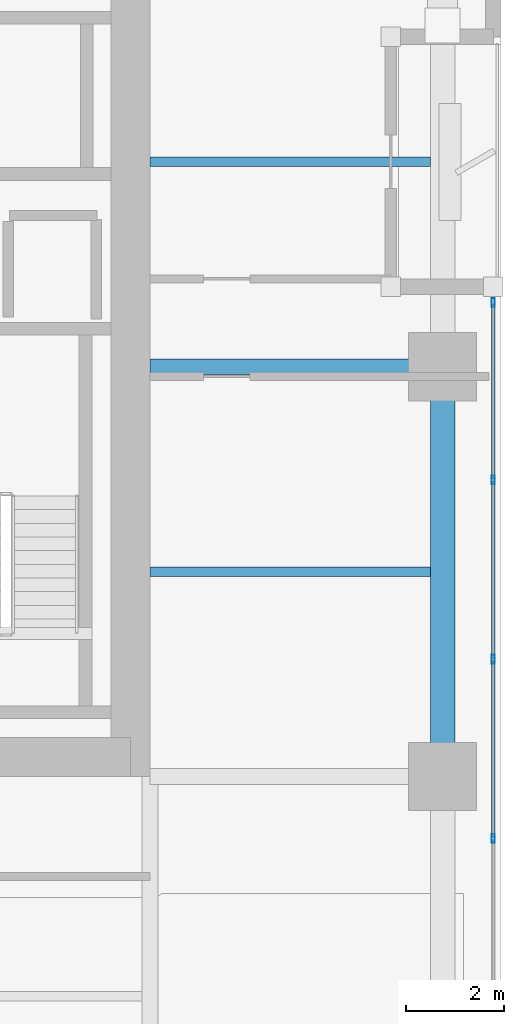
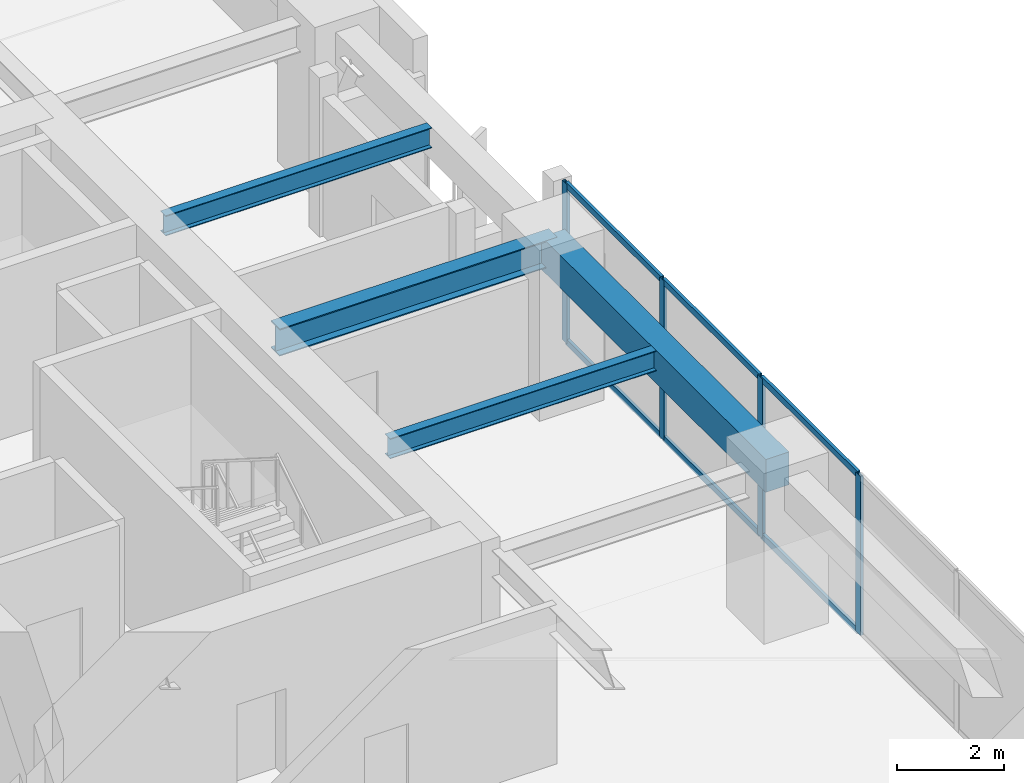
# One storey, part 6 of 24: 10 members, 4 beams, 1 element without a shape of its own.
"""IFC4 building model written with IfcOpenShell, lengths in metres."""

from ifc_helpers import new_model, si_unit, direction, frame, origin, origin_2d, place, context, subcontext, project, spatial, rectangle, hollow_rectangle, i_section, extrude, material, layer, layer_set, material_profile, profile_set, type_object, element, aggregate, save


model = new_model("IFC4")

# Units and contexts
model_context = context("Model", 3, precision=1e-05, world=origin(), true_north=direction((0.0, 1.0)))
body_context = subcontext(model_context, "Body", "Model", "MODEL_VIEW")
ifc_project = project(units=[si_unit("LENGTHUNIT", "METRE"), si_unit("AREAUNIT", "SQUARE_METRE"), si_unit("VOLUMEUNIT", "CUBIC_METRE"), si_unit("PLANEANGLEUNIT", "RADIAN"), si_unit("MASSUNIT", "GRAM", prefix="KILO")], contexts=[model_context])

# Site, building, storey
site_placement = place(None, origin())
site = spatial("IfcSite", under=ifc_project, at=site_placement, CompositionType="ELEMENT")
building_placement = place(site_placement, origin())
building = spatial("IfcBuilding", under=site, at=building_placement, Name="Kiyonajd Concourse Tower", CompositionType="ELEMENT")
storey_placement = place(building_placement, frame((0.0, 0.0, 133.800048828125)))
storey = spatial("IfcBuildingStorey", under=building, at=storey_placement, Name="L34", CompositionType="ELEMENT", Elevation=133.800048828125)

# Beams
ifc_material_1 = material(Name="Steel ASTM A992 Grade 50", Category="steel")
ifc_material_profile_1 = material_profile(ifc_material_1, i_section(OverallWidth=0.19189453125, OverallDepth=0.462890625, WebThickness=0.010498046875, FlangeThickness=0.017578125, at=origin_2d()), Name="W460X89")
ifc_profile_set_1 = profile_set([ifc_material_profile_1], Name="Steel ASTM A992 Grade 50")
beam_type_1 = type_object("IfcBeamType", Name="BM-JST-460B", PredefinedType="JOIST", material=ifc_profile_set_1)
for number, where, z_axis, x_axis, name in (
    (1, (63.60009765625, 31.800048828125, 3.408447265625), (1.0, 0.0, 0.0), (0.0, 1.0, 0.0), "L34 East Secondary Floor Joist"),
    (2, (63.60009765625, 40.199951171875, 3.408447265625), (1.0, 0.0, 0.0), (0.0, 1.0, 0.0), "L34 East Secondary Floor Joist"),
):
    element("IfcBeam", number, at=place(storey_placement, frame(where, z_axis=z_axis, x_axis=x_axis)), inside=storey, type_object=beam_type_1, Name=name, PredefinedType="JOIST", context=body_context, shape_type="SweptSolid", body=[
        extrude(i_section(OverallWidth=0.19189453125, OverallDepth=0.462890625, WebThickness=0.010498046875, FlangeThickness=0.017578125, at=origin_2d()), origin(), (0.0, 0.0, 1.0), 5.75),
    ])
ifc_material_2 = material(Name="Precast concrete C50/60", Category="concrete")
ifc_material_profile_2 = material_profile(ifc_material_2, rectangle(XDim=0.5, YDim=0.75, at=origin_2d()), Name="RCBM-500x750")
ifc_profile_set_2 = profile_set([ifc_material_profile_2], Name="Precast concrete C50/60")
beam_type_2 = type_object("IfcBeamType", Name="BM-SPAN-RC", PredefinedType="SPANDREL", material=ifc_profile_set_2)
beam_1_placement = place(storey_placement, frame((69.60009765625, 27.60009765625, 3.264892578125), z_axis=(0.0, 1.0, 0.0), x_axis=(-1.0, 0.0, 0.0)))
element("IfcBeam", 3, at=beam_1_placement, inside=storey, type_object=beam_type_2, Name="L34 Perimeter Bundled Tube Spandrel", PredefinedType="SPANDREL", context=body_context, shape_type="SweptSolid", body=[
    extrude(rectangle(XDim=0.5, YDim=0.75, at=origin_2d()), origin(), (0.0, 0.0, 1.0), 8.39990234375),
])
ifc_material_profile_3 = material_profile(ifc_material_1, i_section(OverallWidth=0.326904296875, OverallDepth=0.6220703125, WebThickness=0.015380859375, FlangeThickness=0.0244140625, at=origin_2d()), Name="W610X195")
ifc_profile_set_3 = profile_set([ifc_material_profile_3], Name="Steel ASTM A992 Grade 50")
beam_type_3 = type_object("IfcBeamType", Name="BM-TWR-610A", PredefinedType="BEAM", material=ifc_profile_set_3)
beam_2_placement = place(storey_placement, frame((63.60009765625, 36.0, 3.328857421875), z_axis=(1.0, 0.0, 0.0), x_axis=(0.0, 1.0, 0.0)))
element("IfcBeam", 4, at=beam_2_placement, inside=storey, type_object=beam_type_3, Name="L34 East Lease Girder", PredefinedType="BEAM", context=body_context, shape_type="SweptSolid", body=[
    extrude(i_section(OverallWidth=0.326904296875, OverallDepth=0.6220703125, WebThickness=0.015380859375, FlangeThickness=0.0244140625, at=origin_2d()), origin(), (0.0, 0.0, 1.0), 6.0),
])

# Curtain wall, members
ifc_material_3 = material(Name="Thermally Broken Anodised Aluminium", Category="aluminium")
ifc_layer = layer(ifc_material_3, 0.179931640625)
ifc_layer_set = layer_set([ifc_layer], Name="Thermally Broken Anodised Aluminium")
curtain_wall_type = type_object("IfcCurtainWallType", Name="CW-SYS-03", PredefinedType="NOTDEFINED", material=ifc_layer_set)
curtain_wall_placement = place(storey_placement, origin())
curtain_wall = element("IfcCurtainWall", 5, at=curtain_wall_placement, inside=storey, type_object=curtain_wall_type, Name="L34 Unitised Curtain Wall CW3", PredefinedType="NOTDEFINED")
ifc_material_profile_4 = material_profile(ifc_material_3, hollow_rectangle(XDim=0.06494140625, YDim=0.179931640625, WallThickness=0.00390625, at=origin_2d()), Name="MULL-65x180")
ifc_profile_set_4 = profile_set([ifc_material_profile_4], Name="Thermally Broken Anodised Aluminium")
member_type_1 = type_object("IfcMemberType", Name="MB-CW-MULL1", PredefinedType="MULLION", material=ifc_profile_set_4)
member_1_placement = place(storey_placement, frame((70.639892578125, 37.3173828125, 0.0), z_axis=(0.0, 0.0, 1.0), x_axis=(1.0, 0.0, 0.0)))
member_1 = element("IfcMember", 6, at=member_1_placement, type_object=member_type_1, Name="CW3 mullion 1", PredefinedType="MULLION", context=body_context, shape_type="SweptSolid", body=[
    extrude(hollow_rectangle(XDim=0.06494140625, YDim=0.179931640625, WallThickness=0.00390625, at=origin_2d()), origin(), (0.0, 0.0, 1.0), 3.639892578125),
])
member_2_placement = place(storey_placement, frame((70.639892578125, 33.6767578125, 0.0), z_axis=(0.0, 0.0, 1.0), x_axis=(1.0, 0.0, 0.0)))
member_2 = element("IfcMember", 7, at=member_2_placement, type_object=member_type_1, Name="CW3 mullion 2", PredefinedType="MULLION", context=body_context, shape_type="SweptSolid", body=[
    extrude(hollow_rectangle(XDim=0.06494140625, YDim=0.179931640625, WallThickness=0.00390625, at=origin_2d()), origin(), (0.0, 0.0, 1.0), 3.639892578125),
])
member_3_placement = place(storey_placement, frame((70.639892578125, 30.003662109375, 0.0), z_axis=(0.0, 0.0, 1.0), x_axis=(1.0, 0.0, 0.0)))
member_3 = element("IfcMember", 8, at=member_3_placement, type_object=member_type_1, Name="CW3 mullion 3", PredefinedType="MULLION", context=body_context, shape_type="SweptSolid", body=[
    extrude(hollow_rectangle(XDim=0.06494140625, YDim=0.179931640625, WallThickness=0.00390625, at=origin_2d()), origin(), (0.0, 0.0, 1.0), 3.639892578125),
])
member_4_placement = place(storey_placement, frame((70.639892578125, 26.33056640625, 0.0), z_axis=(0.0, 0.0, 1.0), x_axis=(1.0, 0.0, 0.0)))
member_4 = element("IfcMember", 9, at=member_4_placement, type_object=member_type_1, Name="CW3 mullion 4", PredefinedType="MULLION", context=body_context, shape_type="SweptSolid", body=[
    extrude(hollow_rectangle(XDim=0.06494140625, YDim=0.179931640625, WallThickness=0.00390625, at=origin_2d()), origin(), (0.0, 0.0, 1.0), 3.639892578125),
])
ifc_material_profile_5 = material_profile(ifc_material_3, hollow_rectangle(XDim=0.06494140625, YDim=0.139892578125, WallThickness=0.00390625, at=origin_2d()), Name="TRAN-65x140")
ifc_profile_set_5 = profile_set([ifc_material_profile_5], Name="Thermally Broken Anodised Aluminium")
member_type_2 = type_object("IfcMemberType", Name="MB-CW-TRAN1", PredefinedType="USERDEFINED", material=ifc_profile_set_5)
member_5_placement = place(storey_placement, frame((70.639892578125, 37.284912109375, 0.032470703125), z_axis=(0.0, -1.0, 0.0), x_axis=(1.0, 0.0, 0.0)))
member_5 = element("IfcMember", 10, at=member_5_placement, type_object=member_type_2, Name="CW3 transom 1.1", ObjectType="TRANSOM", PredefinedType="USERDEFINED", context=body_context, shape_type="SweptSolid", body=[
    extrude(hollow_rectangle(XDim=0.06494140625, YDim=0.139892578125, WallThickness=0.00390625, at=origin_2d()), origin(), (0.0, 0.0, 1.0), 3.57568359375),
])
member_6_placement = place(storey_placement, frame((70.639892578125, 37.284912109375, 3.607421875), z_axis=(0.0, -1.0, 0.0), x_axis=(1.0, 0.0, 0.0)))
member_6 = element("IfcMember", 11, at=member_6_placement, type_object=member_type_2, Name="CW3 transom 1.2", ObjectType="TRANSOM", PredefinedType="USERDEFINED", context=body_context, shape_type="SweptSolid", body=[
    extrude(hollow_rectangle(XDim=0.06494140625, YDim=0.139892578125, WallThickness=0.00390625, at=origin_2d()), origin(), (0.0, 0.0, 1.0), 3.57568359375),
])
member_7_placement = place(storey_placement, frame((70.639892578125, 33.644287109375, 0.032470703125), z_axis=(0.0, -1.0, 0.0), x_axis=(1.0, 0.0, 0.0)))
member_7 = element("IfcMember", 12, at=member_7_placement, type_object=member_type_2, Name="CW3 transom 2.1", ObjectType="TRANSOM", PredefinedType="USERDEFINED", context=body_context, shape_type="SweptSolid", body=[
    extrude(hollow_rectangle(XDim=0.06494140625, YDim=0.139892578125, WallThickness=0.00390625, at=origin_2d()), origin(), (0.0, 0.0, 1.0), 3.608154296875),
])
member_8_placement = place(storey_placement, frame((70.639892578125, 33.644287109375, 3.607421875), z_axis=(0.0, -1.0, 0.0), x_axis=(1.0, 0.0, 0.0)))
member_8 = element("IfcMember", 13, at=member_8_placement, type_object=member_type_2, Name="CW3 transom 2.2", ObjectType="TRANSOM", PredefinedType="USERDEFINED", context=body_context, shape_type="SweptSolid", body=[
    extrude(hollow_rectangle(XDim=0.06494140625, YDim=0.139892578125, WallThickness=0.00390625, at=origin_2d()), origin(), (0.0, 0.0, 1.0), 3.608154296875),
])
member_9_placement = place(storey_placement, frame((70.639892578125, 29.97119140625, 0.032470703125), z_axis=(0.0, -1.0, 0.0), x_axis=(1.0, 0.0, 0.0)))
member_9 = element("IfcMember", 14, at=member_9_placement, type_object=member_type_2, Name="CW3 transom 3.1", ObjectType="TRANSOM", PredefinedType="USERDEFINED", context=body_context, shape_type="SweptSolid", body=[
    extrude(hollow_rectangle(XDim=0.06494140625, YDim=0.139892578125, WallThickness=0.00390625, at=origin_2d()), origin(), (0.0, 0.0, 1.0), 3.608154296875),
])
member_10_placement = place(storey_placement, frame((70.639892578125, 29.97119140625, 3.607421875), z_axis=(0.0, -1.0, 0.0), x_axis=(1.0, 0.0, 0.0)))
member_10 = element("IfcMember", 15, at=member_10_placement, type_object=member_type_2, Name="CW3 transom 3.2", ObjectType="TRANSOM", PredefinedType="USERDEFINED", context=body_context, shape_type="SweptSolid", body=[
    extrude(hollow_rectangle(XDim=0.06494140625, YDim=0.139892578125, WallThickness=0.00390625, at=origin_2d()), origin(), (0.0, 0.0, 1.0), 3.608154296875),
])
aggregate(curtain_wall, [member_1, member_2, member_3, member_4, member_5, member_6, member_7, member_8, member_9, member_10])

save(model, "model.ifc")
